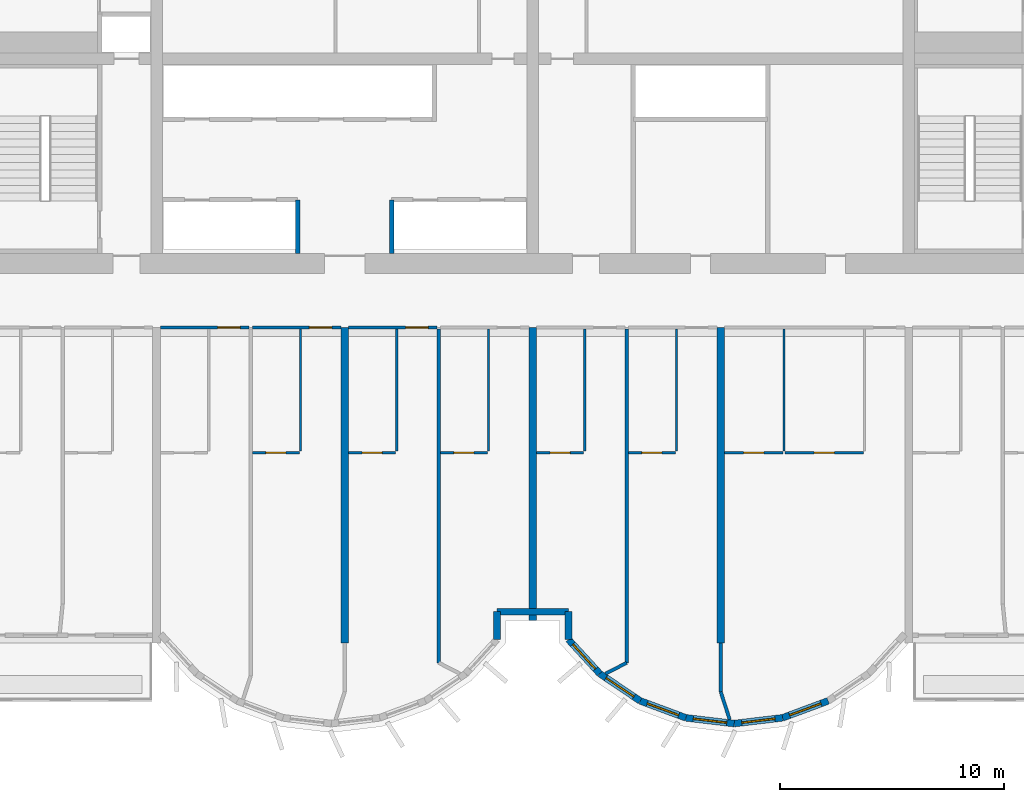
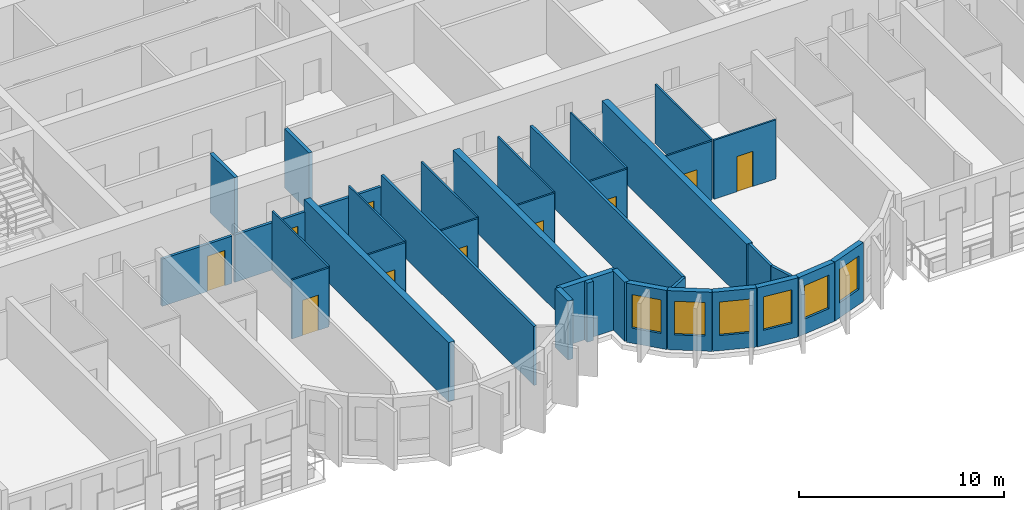
# One storey, part 5 of 14: 35 walls, 10 doors, 6 windows, 16 openings.
"""IFC4 building model written with IfcOpenShell, lengths in metres."""

from ifc_helpers import new_model, si_unit, direction, frame, frame_2d, origin, place, context, subcontext, project, spatial, rectangle, extrude, source, transform, mapped, material, layer, layer_set, type_object, element, fill, save


model = new_model("IFC4")

# Units and contexts
model_context = context("Model", 3, precision=1e-05, world=origin(), true_north=direction((0.0, 1.0)))
body_context = subcontext(model_context, "Body", "Model", "MODEL_VIEW")
ifc_project = project(units=[si_unit("LENGTHUNIT", "METRE"), si_unit("AREAUNIT", "SQUARE_METRE"), si_unit("VOLUMEUNIT", "CUBIC_METRE"), si_unit("PLANEANGLEUNIT", "RADIAN"), si_unit("MASSUNIT", "GRAM", prefix="KILO")], contexts=[model_context])

# Site, building, storey
site_placement = place(None, origin())
site = spatial("IfcSite", under=ifc_project, at=site_placement, CompositionType="ELEMENT")
building_placement = place(site_placement, origin())
building = spatial("IfcBuilding", under=site, at=building_placement, Name="Vanashikhar Sky Hotel", CompositionType="ELEMENT")
storey_placement = place(building_placement, frame((0.0, 0.0, 99.0)))
storey = spatial("IfcBuildingStorey", under=building, at=storey_placement, Name="L23", CompositionType="ELEMENT", Elevation=99.0)

# Walls
ifc_material_1 = material(Name="Concrete M70", Category="concrete")
ifc_layer_1 = layer(ifc_material_1, 0.35009765625)
ifc_layer_set_1 = layer_set([ifc_layer_1], Name="RC shear wall 350 Concrete M70")
wall_type_1 = type_object("IfcWallType", Name="RC shear wall 350 Concrete M70", PredefinedType="SHEAR", material=ifc_layer_set_1)
shared_shape_1 = source(origin(), body_context, "Body", "SweptSolid", [
    extrude(rectangle(XDim=14.10009765625, YDim=0.35009765625, at=frame_2d((7.050048828125, 0.0))), origin(), (0.0, 0.0, 1.0), 3.52001953125),
])
for number, where, z_axis, x_axis, name in (
    (1, (42.0, 5.5, 0.0), (0.0, 0.0, 1.0), (0.0, 1.0, 0.0), "CW-L23-XW06-1"),
    (2, (58.800048828125, 5.5, 0.0), (0.0, 0.0, 1.0), (0.0, 1.0, 0.0), "CW-L23-XW08-1"),
):
    element("IfcWall", number, at=place(storey_placement, frame(where, z_axis=z_axis, x_axis=x_axis)), inside=storey, type_object=wall_type_1, Name=name, PredefinedType="SHEAR", context=body_context, shape_type="MappedRepresentation", body=[
        mapped(shared_shape_1, transform((0.0, 0.0, 0.0), scale=1.0)),
    ])
shared_shape_2 = source(origin(), body_context, "Body", "SweptSolid", [
    extrude(rectangle(XDim=13.10009765625, YDim=0.35009765625, at=frame_2d((6.550048828125, 0.0))), origin(), (0.0, 0.0, 1.0), 3.52001953125),
])
wall_1_placement = place(storey_placement, frame((50.39990234375, 6.5, 0.0), z_axis=(0.0, 0.0, 1.0), x_axis=(0.0, 1.0, 0.0)))
element("IfcWall", 3, at=wall_1_placement, inside=storey, type_object=wall_type_1, Name="CW-L23-XW07-1", PredefinedType="SHEAR", context=body_context, shape_type="MappedRepresentation", body=[
    mapped(shared_shape_2, transform((0.0, 0.0, 0.0), scale=1.0)),
])

# Wall, opening, window
ifc_material_2 = material(Name="Concrete M50", Category="concrete")
ifc_layer_2 = layer(ifc_material_2, 0.300048828125)
ifc_layer_set_2 = layer_set([ifc_layer_2], Name="Lobe wall 300")
wall_type_2 = type_object("IfcWallType", Name="Lobe wall 300", PredefinedType="SOLIDWALL", material=ifc_layer_set_2)
shared_shape_3 = source(origin(), body_context, "Body", "SweptSolid", [
    extrude(rectangle(XDim=2.17578125, YDim=0.300048828125, at=frame_2d((1.087890625, 0.0))), origin(), (0.0, 0.0, 1.0), 3.52001953125),
])
wall_2_placement = place(storey_placement, frame((53.395751953125, 4.13134765625, 0.0), z_axis=(0.0, 0.0, 1.0), x_axis=(0.829590746428, -0.558371913192, 0.0)))
wall_2 = element("IfcWall", 4, at=wall_2_placement, inside=storey, type_object=wall_type_2, Name="Lobe wall", PredefinedType="SOLIDWALL", context=body_context, shape_type="MappedRepresentation", body=[
    mapped(shared_shape_3, transform((0.0, 0.0, 0.0), scale=1.0)),
])
shared_shape_4 = source(origin(), body_context, "Body", "SweptSolid", [
    extrude(rectangle(XDim=1.5, YDim=2.0, at=frame_2d((0.75, 1.0))), frame((0.0, 0.16015625, 0.0), z_axis=(0.0, -1.0, 0.0), x_axis=(1.0, 0.0, 0.0)), (0.0, 0.0, 1.0), 0.320068359375),
])
opening_1_placement = place(wall_2_placement, frame((0.337890625, 0.0, 0.89990234375)))
opening_1 = element("IfcOpeningElement", 5, at=opening_1_placement, cuts=wall_2, Name="Opening WN-2", PredefinedType="OPENING", context=body_context, shape_type="MappedRepresentation", body=[
    mapped(shared_shape_4, transform((0.0, 0.0, 0.0), scale=1.0)),
])
ifc_material_3 = material(Name="Glass", Category="glass")
window_type = type_object("IfcWindowType", Name="Lobe window 1500 x 2000", PartitioningType="SINGLE_PANEL", PredefinedType="WINDOW", material=ifc_material_3)
shared_shape_5 = source(origin(), body_context, "Body", "SweptSolid", [
    extrude(rectangle(XDim=1.5, YDim=2.0, at=frame_2d((0.75, 1.0))), frame((0.0, 0.030029296875, 0.0), z_axis=(0.0, -1.0, 0.0), x_axis=(1.0, 0.0, 0.0)), (0.0, 0.0, 1.0), 0.06005859375),
])
window_1_placement = place(opening_1_placement, origin())
window_1 = element("IfcWindow", 6, at=window_1_placement, inside=storey, type_object=window_type, Name="Window WN-2", OverallHeight=2.0, OverallWidth=1.5, PartitioningType="SINGLE_PANEL", PredefinedType="WINDOW", context=body_context, shape_type="MappedRepresentation", body=[
    mapped(shared_shape_5, transform((0.0, 0.0, 0.0), scale=1.0)),
])
fill(opening_1, window_1)

wall_3_placement = place(storey_placement, frame((55.20068359375, 2.91650390625, 0.0), z_axis=(0.0, 0.0, 1.0), x_axis=(0.93754555999, -0.347862505801, 0.0)))
wall_3 = element("IfcWall", 7, at=wall_3_placement, inside=storey, type_object=wall_type_2, Name="Lobe wall", PredefinedType="SOLIDWALL", context=body_context, shape_type="MappedRepresentation", body=[
    mapped(shared_shape_3, transform((0.0, 0.0, 0.0), scale=1.0)),
])
opening_2_placement = place(wall_3_placement, frame((0.337890625, 0.0, 0.89990234375)))
opening_2 = element("IfcOpeningElement", 8, at=opening_2_placement, cuts=wall_3, Name="Opening WN-2", PredefinedType="OPENING", context=body_context, shape_type="MappedRepresentation", body=[
    mapped(shared_shape_4, transform((0.0, 0.0, 0.0), scale=1.0)),
])
window_2_placement = place(opening_2_placement, origin())
window_2 = element("IfcWindow", 9, at=window_2_placement, inside=storey, type_object=window_type, Name="Window WN-2", OverallHeight=2.0, OverallWidth=1.5, PartitioningType="SINGLE_PANEL", PredefinedType="WINDOW", context=body_context, shape_type="MappedRepresentation", body=[
    mapped(shared_shape_5, transform((0.0, 0.0, 0.0), scale=1.0)),
])
fill(opening_2, window_2)

shared_shape_6 = source(origin(), body_context, "Body", "SweptSolid", [
    extrude(rectangle(XDim=2.174560546875, YDim=0.300048828125, at=frame_2d((1.08740234375, 0.0))), origin(), (0.0, 0.0, 1.0), 3.52001953125),
])
wall_4_placement = place(storey_placement, frame((57.240478515625, 2.15966796875, 0.0), z_axis=(0.0, 0.0, 1.0), x_axis=(0.993001132889, -0.118104826659, 0.0)))
wall_4 = element("IfcWall", 10, at=wall_4_placement, inside=storey, type_object=wall_type_2, Name="Lobe wall", PredefinedType="SOLIDWALL", context=body_context, shape_type="MappedRepresentation", body=[
    mapped(shared_shape_6, transform((0.0, 0.0, 0.0), scale=1.0)),
])
opening_3_placement = place(wall_4_placement, frame((0.33740234375, 0.0, 0.89990234375)))
opening_3 = element("IfcOpeningElement", 11, at=opening_3_placement, cuts=wall_4, Name="Opening WN-2", PredefinedType="OPENING", context=body_context, shape_type="MappedRepresentation", body=[
    mapped(shared_shape_4, transform((0.0, 0.0, 0.0), scale=1.0)),
])
window_3_placement = place(opening_3_placement, origin())
window_3 = element("IfcWindow", 12, at=window_3_placement, inside=storey, type_object=window_type, Name="Window WN-2", OverallHeight=2.0, OverallWidth=1.5, PartitioningType="SINGLE_PANEL", PredefinedType="WINDOW", context=body_context, shape_type="MappedRepresentation", body=[
    mapped(shared_shape_5, transform((0.0, 0.0, 0.0), scale=1.0)),
])
fill(opening_3, window_3)

shared_shape_7 = source(origin(), body_context, "Body", "SweptSolid", [
    extrude(rectangle(XDim=2.1748046875, YDim=0.300048828125, at=frame_2d((1.08740234375, 0.0))), origin(), (0.0, 0.0, 1.0), 3.52001953125),
])
wall_5_placement = place(storey_placement, frame((59.39990234375, 1.90283203125, 0.0), z_axis=(0.0, 0.0, 1.0), x_axis=(0.993002698611, 0.118091661648, 0.0)))
wall_5 = element("IfcWall", 13, at=wall_5_placement, inside=storey, type_object=wall_type_2, Name="Lobe wall", PredefinedType="SOLIDWALL", context=body_context, shape_type="MappedRepresentation", body=[
    mapped(shared_shape_7, transform((0.0, 0.0, 0.0), scale=1.0)),
])
opening_4_placement = place(wall_5_placement, frame((0.33740234375, 0.0, 0.89990234375)))
opening_4 = element("IfcOpeningElement", 14, at=opening_4_placement, cuts=wall_5, Name="Opening WN-2", PredefinedType="OPENING", context=body_context, shape_type="MappedRepresentation", body=[
    mapped(shared_shape_4, transform((0.0, 0.0, 0.0), scale=1.0)),
])
window_4_placement = place(opening_4_placement, origin())
window_4 = element("IfcWindow", 15, at=window_4_placement, inside=storey, type_object=window_type, Name="Window WN-2", OverallHeight=2.0, OverallWidth=1.5, PartitioningType="SINGLE_PANEL", PredefinedType="WINDOW", context=body_context, shape_type="MappedRepresentation", body=[
    mapped(shared_shape_5, transform((0.0, 0.0, 0.0), scale=1.0)),
])
fill(opening_4, window_4)

shared_shape_8 = source(origin(), body_context, "Body", "SweptSolid", [
    extrude(rectangle(XDim=2.175537109375, YDim=0.300048828125, at=frame_2d((1.087890625, 0.0))), origin(), (0.0, 0.0, 1.0), 3.52001953125),
])
wall_6_placement = place(storey_placement, frame((61.5595703125, 2.15966796875, 0.0), z_axis=(0.0, 0.0, 1.0), x_axis=(0.937531979054, 0.347899106424, 0.0)))
wall_6 = element("IfcWall", 16, at=wall_6_placement, inside=storey, type_object=wall_type_2, Name="Lobe wall", PredefinedType="SOLIDWALL", context=body_context, shape_type="MappedRepresentation", body=[
    mapped(shared_shape_8, transform((0.0, 0.0, 0.0), scale=1.0)),
])
opening_5_placement = place(wall_6_placement, frame((0.337890625, 0.0, 0.89990234375)))
opening_5 = element("IfcOpeningElement", 17, at=opening_5_placement, cuts=wall_6, Name="Opening WN-2", PredefinedType="OPENING", context=body_context, shape_type="MappedRepresentation", body=[
    mapped(shared_shape_4, transform((0.0, 0.0, 0.0), scale=1.0)),
])
window_5_placement = place(opening_5_placement, origin())
window_5 = element("IfcWindow", 18, at=window_5_placement, inside=storey, type_object=window_type, Name="Window WN-2", OverallHeight=2.0, OverallWidth=1.5, PartitioningType="SINGLE_PANEL", PredefinedType="WINDOW", context=body_context, shape_type="MappedRepresentation", body=[
    mapped(shared_shape_5, transform((0.0, 0.0, 0.0), scale=1.0)),
])
fill(opening_5, window_5)

shared_shape_9 = source(origin(), body_context, "Body", "SweptSolid", [
    extrude(rectangle(XDim=2.066650390625, YDim=0.300048828125, at=frame_2d((1.033203125, 0.0))), origin(), (0.0, 0.0, 1.0), 3.52001953125),
])
wall_7_placement = place(storey_placement, frame((52.0, 5.655517578125, 0.0), z_axis=(0.0, 0.0, 1.0), x_axis=(0.675355439877, -0.737492393065, 0.0)))
wall_7 = element("IfcWall", 19, at=wall_7_placement, inside=storey, type_object=wall_type_2, Name="Lobe wall", PredefinedType="SOLIDWALL", context=body_context, shape_type="MappedRepresentation", body=[
    mapped(shared_shape_9, transform((0.0, 0.0, 0.0), scale=1.0)),
])
opening_6_placement = place(wall_7_placement, frame((0.283447265625, 0.0, 0.89990234375)))
opening_6 = element("IfcOpeningElement", 20, at=opening_6_placement, cuts=wall_7, Name="Opening WN-2", PredefinedType="OPENING", context=body_context, shape_type="MappedRepresentation", body=[
    mapped(shared_shape_4, transform((0.0, 0.0, 0.0), scale=1.0)),
])
window_6_placement = place(opening_6_placement, origin())
window_6 = element("IfcWindow", 21, at=window_6_placement, inside=storey, type_object=window_type, Name="Window WN-2", OverallHeight=2.0, OverallWidth=1.5, PartitioningType="SINGLE_PANEL", PredefinedType="WINDOW", context=body_context, shape_type="MappedRepresentation", body=[
    mapped(shared_shape_5, transform((0.0, 0.0, 0.0), scale=1.0)),
])
fill(opening_6, window_6)

# Walls
shared_shape_10 = source(origin(), body_context, "Body", "SweptSolid", [
    extrude(rectangle(XDim=1.244384765625, YDim=0.300048828125, at=frame_2d((0.6220703125, 0.0))), origin(), (0.0, 0.0, 1.0), 3.52001953125),
])
for number, where, z_axis, x_axis, name in (
    (22, (48.800048828125, 5.655517578125, 0.0), (0.0, 0.0, 1.0), (0.0, 1.0, 0.0), "Groove wall"),
    (23, (52.0, 6.89990234375, 0.0), (0.0, 0.0, 1.0), (0.0, -1.0, 0.0), "Groove wall"),
):
    element("IfcWall", number, at=place(storey_placement, frame(where, z_axis=z_axis, x_axis=x_axis)), inside=storey, type_object=wall_type_2, Name=name, PredefinedType="SOLIDWALL", context=body_context, shape_type="MappedRepresentation", body=[
        mapped(shared_shape_10, transform((0.0, 0.0, 0.0), scale=1.0)),
    ])
shared_shape_11 = source(origin(), body_context, "Body", "SweptSolid", [
    extrude(rectangle(XDim=3.199951171875, YDim=0.300048828125, at=frame_2d((1.60009765625, 0.0))), origin(), (0.0, 0.0, 1.0), 3.52001953125),
])
wall_8_placement = place(storey_placement, frame((48.800048828125, 6.89990234375, 0.0), z_axis=(0.0, 0.0, 1.0), x_axis=(1.0, 0.0, 0.0)))
element("IfcWall", 24, at=wall_8_placement, inside=storey, type_object=wall_type_2, Name="Groove wall", PredefinedType="SOLIDWALL", context=body_context, shape_type="MappedRepresentation", body=[
    mapped(shared_shape_11, transform((0.0, 0.0, 0.0), scale=1.0)),
])
ifc_material_4 = material(Name="Concrete M40", Category="concrete")
ifc_layer_3 = layer(ifc_material_4, 0.199951171875)
ifc_layer_set_3 = layer_set([ifc_layer_3], Name="Shaft wall 200")
wall_type_3 = type_object("IfcWallType", Name="Shaft wall 200", PredefinedType="SOLIDWALL", material=ifc_layer_set_3)
shared_shape_12 = source(origin(), body_context, "Body", "SweptSolid", [
    extrude(rectangle(XDim=2.400146484375, YDim=0.199951171875, at=frame_2d((1.2001953125, 0.0))), origin(), (0.0, 0.0, 1.0), 3.52001953125),
])
for number, where, z_axis, x_axis, name in (
    (25, (39.89990234375, 22.89990234375, 0.0), (0.0, 0.0, 1.0), (0.0, 1.0, 0.0), "Shaft wall 200"),
    (26, (44.10009765625, 22.89990234375, 0.0), (0.0, 0.0, 1.0), (0.0, 1.0, 0.0), "Shaft wall 200"),
):
    element("IfcWall", number, at=place(storey_placement, frame(where, z_axis=z_axis, x_axis=x_axis)), inside=storey, type_object=wall_type_3, Name=name, PredefinedType="SOLIDWALL", context=body_context, shape_type="MappedRepresentation", body=[
        mapped(shared_shape_12, transform((0.0, 0.0, 0.0), scale=1.0)),
    ])
ifc_material_5 = material(Name="Gypsum plasterboard partition")
ifc_layer_4 = layer(ifc_material_5, 0.14990234375)
ifc_layer_set_4 = layer_set([ifc_layer_4], Name="Corridor and demising partition 150")
wall_type_4 = type_object("IfcWallType", Name="Corridor and demising partition 150", PredefinedType="PARTITIONING", material=ifc_layer_set_4)
shared_shape_13 = source(origin(), body_context, "Body", "SweptSolid", [
    extrude(rectangle(XDim=2.177978515625, YDim=0.14990234375, at=frame_2d((1.0888671875, 0.0))), origin(), (0.0, 0.0, 1.0), 3.52001953125),
])
wall_9_placement = place(storey_placement, frame((58.800048828125, 3.322021484375, 0.0), z_axis=(0.0, 0.0, 1.0), x_axis=(0.0, 1.0, 0.0)))
element("IfcWall", 27, at=wall_9_placement, inside=storey, type_object=wall_type_4, Name="W-L23-PW072", PredefinedType="PARTITIONING", context=body_context, shape_type="MappedRepresentation", body=[
    mapped(shared_shape_13, transform((0.0, 0.0, 0.0), scale=1.0)),
])

# Wall, opening, door
ifc_layer_5 = layer(ifc_material_5, 0.10009765625)
ifc_layer_set_5 = layer_set([ifc_layer_5], Name="Wet room partition 100")
wall_type_5 = type_object("IfcWallType", Name="Wet room partition 100", PredefinedType="PARTITIONING", material=ifc_layer_set_5)
shared_shape_14 = source(origin(), body_context, "Body", "SweptSolid", [
    extrude(rectangle(XDim=3.5, YDim=0.10009765625, at=frame_2d((1.75, 0.0))), origin(), (0.0, 0.0, 1.0), 3.52001953125),
])
wall_10_placement = place(storey_placement, frame((61.675048828125, 14.0, 0.0), z_axis=(0.0, 0.0, 1.0), x_axis=(1.0, 0.0, 0.0)))
wall_10 = element("IfcWall", 28, at=wall_10_placement, inside=storey, type_object=wall_type_5, Name="W-L23-PW044", PredefinedType="PARTITIONING", context=body_context, shape_type="MappedRepresentation", body=[
    mapped(shared_shape_14, transform((0.0, 0.0, 0.0), scale=1.0)),
])
shared_shape_15 = source(origin(), body_context, "Body", "SweptSolid", [
    extrude(rectangle(XDim=0.89990234375, YDim=2.10009765625, at=frame_2d((0.449951171875, 1.050048828125))), frame((0.0, 0.06005859375, 0.0), z_axis=(0.0, -1.0, 0.0), x_axis=(1.0, 0.0, 0.0)), (0.0, 0.0, 1.0), 0.1201171875),
])
opening_7_placement = place(wall_10_placement, frame((1.300048828125, 0.0, 0.0)))
opening_7 = element("IfcOpeningElement", 29, at=opening_7_placement, cuts=wall_10, Name="Opening D-02", PredefinedType="OPENING", context=body_context, shape_type="MappedRepresentation", body=[
    mapped(shared_shape_15, transform((0.0, 0.0, 0.0), scale=1.0)),
])
ifc_material_6 = material(Name="Timber door", Category="wood")
door_type_1 = type_object("IfcDoorType", Name="Internal door 900", OperationType="NOTDEFINED", PredefinedType="DOOR", material=ifc_material_6)
shared_shape_16 = source(origin(), body_context, "Body", "SweptSolid", [
    extrude(rectangle(XDim=0.89990234375, YDim=2.10009765625, at=frame_2d((0.449951171875, 1.050048828125))), frame((0.0, 0.02490234375, 0.0), z_axis=(0.0, -1.0, 0.0), x_axis=(1.0, 0.0, 0.0)), (0.0, 0.0, 1.0), 0.050048828125),
])
door_1_placement = place(opening_7_placement, origin())
door_1 = element("IfcDoor", 30, at=door_1_placement, inside=storey, type_object=door_type_1, Name="D-L23-025", OperationType="SINGLE_SWING_RIGHT", OverallHeight=2.10009765625, OverallWidth=0.89990234375, PredefinedType="DOOR", context=body_context, shape_type="MappedRepresentation", body=[
    mapped(shared_shape_16, transform((0.0, 0.0, 0.0), scale=1.0)),
])
fill(opening_7, door_1)

# Walls
shared_shape_17 = source(origin(), body_context, "Body", "SweptSolid", [
    extrude(rectangle(XDim=1.057861328125, YDim=0.14990234375, at=frame_2d((0.52880859375, 0.0))), origin(), (0.0, 0.0, 1.0), 3.52001953125),
])
wall_11_placement = place(storey_placement, frame((53.659912109375, 4.134033203125, 0.0), z_axis=(0.0, 0.0, 1.0), x_axis=(0.888772319209, 0.458348955063, 0.0)))
element("IfcWall", 31, at=wall_11_placement, inside=storey, type_object=wall_type_4, Name="W-L23-PW041B0", PredefinedType="PARTITIONING", context=body_context, shape_type="MappedRepresentation", body=[
    mapped(shared_shape_17, transform((0.0, 0.0, 0.0), scale=1.0)),
])
shared_shape_18 = source(origin(), body_context, "Body", "SweptSolid", [
    extrude(rectangle(XDim=1.308349609375, YDim=0.14990234375, at=frame_2d((0.654296875, 0.0))), origin(), (0.0, 0.0, 1.0), 3.52001953125),
])
wall_12_placement = place(storey_placement, frame((59.201904296875, 2.076904296875, 0.0), z_axis=(0.0, 0.0, 1.0), x_axis=(-0.307144529633, 0.951662880392, 0.0)))
element("IfcWall", 32, at=wall_12_placement, inside=storey, type_object=wall_type_4, Name="W-L23-PW072B0", PredefinedType="PARTITIONING", context=body_context, shape_type="MappedRepresentation", body=[
    mapped(shared_shape_18, transform((0.0, 0.0, 0.0), scale=1.0)),
])
shared_shape_19 = source(origin(), body_context, "Body", "SweptSolid", [
    extrude(rectangle(XDim=5.449951171875, YDim=0.10009765625, at=frame_2d((2.72509765625, 0.0))), origin(), (0.0, 0.0, 1.0), 3.52001953125),
])
for number, where, z_axis, x_axis, name in (
    (33, (40.02490234375, 14.074951171875, 0.0), (0.0, 0.0, 1.0), (0.0, 1.0, 0.0), "W-L23-PW024"),
    (34, (44.324951171875, 14.074951171875, 0.0), (0.0, 0.0, 1.0), (0.0, 1.0, 0.0), "W-L23-PW028"),
    (35, (48.425048828125, 14.074951171875, 0.0), (0.0, 0.0, 1.0), (0.0, 1.0, 0.0), "W-L23-PW031"),
    (36, (52.72509765625, 14.074951171875, 0.0), (0.0, 0.0, 1.0), (0.0, 1.0, 0.0), "W-L23-PW035"),
    (37, (56.824951171875, 14.074951171875, 0.0), (0.0, 0.0, 1.0), (0.0, 1.0, 0.0), "W-L23-PW038"),
    (38, (61.625, 14.074951171875, 0.0), (0.0, 0.0, 1.0), (0.0, 1.0, 0.0), "W-L23-PW043"),
):
    element("IfcWall", number, at=place(storey_placement, frame(where, z_axis=z_axis, x_axis=x_axis)), inside=storey, type_object=wall_type_5, Name=name, PredefinedType="PARTITIONING", context=body_context, shape_type="MappedRepresentation", body=[
        mapped(shared_shape_19, transform((0.0, 0.0, 0.0), scale=1.0)),
    ])

# Wall, opening, door
shared_shape_20 = source(origin(), body_context, "Body", "SweptSolid", [
    extrude(rectangle(XDim=2.10009765625, YDim=0.10009765625, at=frame_2d((1.050048828125, 0.0))), origin(), (0.0, 0.0, 1.0), 3.52001953125),
])
wall_13_placement = place(storey_placement, frame((37.875, 14.0, 0.0), z_axis=(0.0, 0.0, 1.0), x_axis=(1.0, 0.0, 0.0)))
wall_13 = element("IfcWall", 39, at=wall_13_placement, inside=storey, type_object=wall_type_5, Name="W-L23-PW025", PredefinedType="PARTITIONING", context=body_context, shape_type="MappedRepresentation", body=[
    mapped(shared_shape_20, transform((0.0, 0.0, 0.0), scale=1.0)),
])
opening_8_placement = place(wall_13_placement, frame((0.60009765625, 0.0, 0.0)))
opening_8 = element("IfcOpeningElement", 40, at=opening_8_placement, cuts=wall_13, Name="Opening D-02", PredefinedType="OPENING", context=body_context, shape_type="MappedRepresentation", body=[
    mapped(shared_shape_15, transform((0.0, 0.0, 0.0), scale=1.0)),
])
door_2_placement = place(opening_8_placement, origin())
door_2 = element("IfcDoor", 41, at=door_2_placement, inside=storey, type_object=door_type_1, Name="D-L23-015", OperationType="SINGLE_SWING_RIGHT", OverallHeight=2.10009765625, OverallWidth=0.89990234375, PredefinedType="DOOR", context=body_context, shape_type="MappedRepresentation", body=[
    mapped(shared_shape_16, transform((0.0, 0.0, 0.0), scale=1.0)),
])
fill(opening_8, door_2)

wall_14_placement = place(storey_placement, frame((46.27490234375, 14.0, 0.0), z_axis=(0.0, 0.0, 1.0), x_axis=(1.0, 0.0, 0.0)))
wall_14 = element("IfcWall", 42, at=wall_14_placement, inside=storey, type_object=wall_type_5, Name="W-L23-PW032", PredefinedType="PARTITIONING", context=body_context, shape_type="MappedRepresentation", body=[
    mapped(shared_shape_20, transform((0.0, 0.0, 0.0), scale=1.0)),
])
opening_9_placement = place(wall_14_placement, frame((0.60009765625, 0.0, 0.0)))
opening_9 = element("IfcOpeningElement", 43, at=opening_9_placement, cuts=wall_14, Name="Opening D-02", PredefinedType="OPENING", context=body_context, shape_type="MappedRepresentation", body=[
    mapped(shared_shape_15, transform((0.0, 0.0, 0.0), scale=1.0)),
])
door_3_placement = place(opening_9_placement, origin())
door_3 = element("IfcDoor", 44, at=door_3_placement, inside=storey, type_object=door_type_1, Name="D-L23-019", OperationType="SINGLE_SWING_RIGHT", OverallHeight=2.10009765625, OverallWidth=0.89990234375, PredefinedType="DOOR", context=body_context, shape_type="MappedRepresentation", body=[
    mapped(shared_shape_16, transform((0.0, 0.0, 0.0), scale=1.0)),
])
fill(opening_9, door_3)

wall_15_placement = place(storey_placement, frame((50.574951171875, 14.0, 0.0), z_axis=(0.0, 0.0, 1.0), x_axis=(1.0, 0.0, 0.0)))
wall_15 = element("IfcWall", 45, at=wall_15_placement, inside=storey, type_object=wall_type_5, Name="W-L23-PW036", PredefinedType="PARTITIONING", context=body_context, shape_type="MappedRepresentation", body=[
    mapped(shared_shape_20, transform((0.0, 0.0, 0.0), scale=1.0)),
])
opening_10_placement = place(wall_15_placement, frame((0.60009765625, 0.0, 0.0)))
opening_10 = element("IfcOpeningElement", 46, at=opening_10_placement, cuts=wall_15, Name="Opening D-02", PredefinedType="OPENING", context=body_context, shape_type="MappedRepresentation", body=[
    mapped(shared_shape_15, transform((0.0, 0.0, 0.0), scale=1.0)),
])
door_4_placement = place(opening_10_placement, origin())
door_4 = element("IfcDoor", 47, at=door_4_placement, inside=storey, type_object=door_type_1, Name="D-L23-021", OperationType="SINGLE_SWING_RIGHT", OverallHeight=2.10009765625, OverallWidth=0.89990234375, PredefinedType="DOOR", context=body_context, shape_type="MappedRepresentation", body=[
    mapped(shared_shape_16, transform((0.0, 0.0, 0.0), scale=1.0)),
])
fill(opening_10, door_4)

shared_shape_21 = source(origin(), body_context, "Body", "SweptSolid", [
    extrude(rectangle(XDim=3.9501953125, YDim=0.14990234375, at=frame_2d((1.97509765625, 0.0))), origin(), (0.0, 0.0, 1.0), 2.820068359375),
])
wall_16_placement = place(storey_placement, frame((33.77490234375, 19.60009765625, 0.0), z_axis=(0.0, 0.0, 1.0), x_axis=(1.0, 0.0, 0.0)))
wall_16 = element("IfcWall", 48, at=wall_16_placement, inside=storey, type_object=wall_type_4, Name="W-L23-PW023", PredefinedType="PARTITIONING", context=body_context, shape_type="MappedRepresentation", body=[
    mapped(shared_shape_21, transform((0.0, 0.0, 0.0), scale=1.0)),
])
shared_shape_22 = source(origin(), body_context, "Body", "SweptSolid", [
    extrude(rectangle(XDim=1.0, YDim=2.10009765625, at=frame_2d((0.5, 1.050048828125))), frame((0.0, 0.0849609375, 0.0), z_axis=(0.0, -1.0, 0.0), x_axis=(1.0, 0.0, 0.0)), (0.0, 0.0, 1.0), 0.169921875),
])
opening_11_placement = place(wall_16_placement, frame((2.550048828125, 0.0, 0.0)))
opening_11 = element("IfcOpeningElement", 49, at=opening_11_placement, cuts=wall_16, Name="Opening D-01", PredefinedType="OPENING", context=body_context, shape_type="MappedRepresentation", body=[
    mapped(shared_shape_22, transform((0.0, 0.0, 0.0), scale=1.0)),
])
ifc_material_7 = material(Name="Timber fire door", Category="wood")
door_type_2 = type_object("IfcDoorType", Name="Guest entry door 1000 FD30S", OperationType="NOTDEFINED", PredefinedType="DOOR", material=ifc_material_7)
shared_shape_23 = source(origin(), body_context, "Body", "SweptSolid", [
    extrude(rectangle(XDim=1.0, YDim=2.10009765625, at=frame_2d((0.5, 1.050048828125))), frame((0.0, 0.02490234375, 0.0), z_axis=(0.0, -1.0, 0.0), x_axis=(1.0, 0.0, 0.0)), (0.0, 0.0, 1.0), 0.050048828125),
])
door_5_placement = place(opening_11_placement, origin())
door_5 = element("IfcDoor", 50, at=door_5_placement, inside=storey, type_object=door_type_2, Name="D-L23-014", OperationType="SINGLE_SWING_RIGHT", OverallHeight=2.10009765625, OverallWidth=1.0, PredefinedType="DOOR", context=body_context, shape_type="MappedRepresentation", body=[
    mapped(shared_shape_23, transform((0.0, 0.0, 0.0), scale=1.0)),
])
fill(opening_11, door_5)

shared_shape_24 = source(origin(), body_context, "Body", "SweptSolid", [
    extrude(rectangle(XDim=3.949951171875, YDim=0.14990234375, at=frame_2d((1.97509765625, 0.0))), origin(), (0.0, 0.0, 1.0), 2.820068359375),
])
wall_17_placement = place(storey_placement, frame((37.875, 19.60009765625, 0.0), z_axis=(0.0, 0.0, 1.0), x_axis=(1.0, 0.0, 0.0)))
wall_17 = element("IfcWall", 51, at=wall_17_placement, inside=storey, type_object=wall_type_4, Name="W-L23-PW026", PredefinedType="PARTITIONING", context=body_context, shape_type="MappedRepresentation", body=[
    mapped(shared_shape_24, transform((0.0, 0.0, 0.0), scale=1.0)),
])
opening_12_placement = place(wall_17_placement, frame((2.550048828125, 0.0, 0.0)))
opening_12 = element("IfcOpeningElement", 52, at=opening_12_placement, cuts=wall_17, Name="Opening D-01", PredefinedType="OPENING", context=body_context, shape_type="MappedRepresentation", body=[
    mapped(shared_shape_22, transform((0.0, 0.0, 0.0), scale=1.0)),
])
door_6_placement = place(opening_12_placement, origin())
door_6 = element("IfcDoor", 53, at=door_6_placement, inside=storey, type_object=door_type_2, Name="D-L23-016", OperationType="SINGLE_SWING_RIGHT", OverallHeight=2.10009765625, OverallWidth=1.0, PredefinedType="DOOR", context=body_context, shape_type="MappedRepresentation", body=[
    mapped(shared_shape_23, transform((0.0, 0.0, 0.0), scale=1.0)),
])
fill(opening_12, door_6)

wall_18_placement = place(storey_placement, frame((42.175048828125, 19.60009765625, 0.0), z_axis=(0.0, 0.0, 1.0), x_axis=(1.0, 0.0, 0.0)))
wall_18 = element("IfcWall", 54, at=wall_18_placement, inside=storey, type_object=wall_type_4, Name="W-L23-PW030", PredefinedType="PARTITIONING", context=body_context, shape_type="MappedRepresentation", body=[
    mapped(shared_shape_24, transform((0.0, 0.0, 0.0), scale=1.0)),
])
opening_13_placement = place(wall_18_placement, frame((2.550048828125, 0.0, 0.0)))
opening_13 = element("IfcOpeningElement", 55, at=opening_13_placement, cuts=wall_18, Name="Opening D-01", PredefinedType="OPENING", context=body_context, shape_type="MappedRepresentation", body=[
    mapped(shared_shape_22, transform((0.0, 0.0, 0.0), scale=1.0)),
])
door_7_placement = place(opening_13_placement, origin())
door_7 = element("IfcDoor", 56, at=door_7_placement, inside=storey, type_object=door_type_2, Name="D-L23-018", OperationType="SINGLE_SWING_RIGHT", OverallHeight=2.10009765625, OverallWidth=1.0, PredefinedType="DOOR", context=body_context, shape_type="MappedRepresentation", body=[
    mapped(shared_shape_23, transform((0.0, 0.0, 0.0), scale=1.0)),
])
fill(opening_13, door_7)

shared_shape_25 = source(origin(), body_context, "Body", "SweptSolid", [
    extrude(rectangle(XDim=2.099853515625, YDim=0.10009765625, at=frame_2d((1.0498046875, 0.0))), origin(), (0.0, 0.0, 1.0), 3.52001953125),
])
wall_19_placement = place(storey_placement, frame((42.175048828125, 14.0, 0.0), z_axis=(0.0, 0.0, 1.0), x_axis=(1.0, 0.0, 0.0)))
wall_19 = element("IfcWall", 57, at=wall_19_placement, inside=storey, type_object=wall_type_5, Name="W-L23-PW029", PredefinedType="PARTITIONING", context=body_context, shape_type="MappedRepresentation", body=[
    mapped(shared_shape_25, transform((0.0, 0.0, 0.0), scale=1.0)),
])
opening_14_placement = place(wall_19_placement, frame((0.60009765625, 0.0, 0.0)))
opening_14 = element("IfcOpeningElement", 58, at=opening_14_placement, cuts=wall_19, Name="Opening D-02", PredefinedType="OPENING", context=body_context, shape_type="MappedRepresentation", body=[
    mapped(shared_shape_15, transform((0.0, 0.0, 0.0), scale=1.0)),
])
door_8_placement = place(opening_14_placement, origin())
door_8 = element("IfcDoor", 59, at=door_8_placement, inside=storey, type_object=door_type_1, Name="D-L23-017", OperationType="SINGLE_SWING_RIGHT", OverallHeight=2.10009765625, OverallWidth=0.89990234375, PredefinedType="DOOR", context=body_context, shape_type="MappedRepresentation", body=[
    mapped(shared_shape_16, transform((0.0, 0.0, 0.0), scale=1.0)),
])
fill(opening_14, door_8)

wall_20_placement = place(storey_placement, frame((54.675048828125, 14.0, 0.0), z_axis=(0.0, 0.0, 1.0), x_axis=(1.0, 0.0, 0.0)))
wall_20 = element("IfcWall", 60, at=wall_20_placement, inside=storey, type_object=wall_type_5, Name="W-L23-PW039", PredefinedType="PARTITIONING", context=body_context, shape_type="MappedRepresentation", body=[
    mapped(shared_shape_25, transform((0.0, 0.0, 0.0), scale=1.0)),
])
opening_15_placement = place(wall_20_placement, frame((0.60009765625, 0.0, 0.0)))
opening_15 = element("IfcOpeningElement", 61, at=opening_15_placement, cuts=wall_20, Name="Opening D-02", PredefinedType="OPENING", context=body_context, shape_type="MappedRepresentation", body=[
    mapped(shared_shape_15, transform((0.0, 0.0, 0.0), scale=1.0)),
])
door_9_placement = place(opening_15_placement, origin())
door_9 = element("IfcDoor", 62, at=door_9_placement, inside=storey, type_object=door_type_1, Name="D-L23-023", OperationType="SINGLE_SWING_RIGHT", OverallHeight=2.10009765625, OverallWidth=0.89990234375, PredefinedType="DOOR", context=body_context, shape_type="MappedRepresentation", body=[
    mapped(shared_shape_16, transform((0.0, 0.0, 0.0), scale=1.0)),
])
fill(opening_15, door_9)

# Walls
shared_shape_26 = source(origin(), body_context, "Body", "SweptSolid", [
    extrude(rectangle(XDim=14.906005859375, YDim=0.14990234375, at=frame_2d((7.453125, 0.0))), origin(), (0.0, 0.0, 1.0), 3.52001953125),
])
for number, where, z_axis, x_axis, name in (
    (63, (46.199951171875, 4.618896484375, 0.0), (0.0, 0.0, 1.0), (0.0, 1.0, 0.0), "W-L23-PW034"),
    (64, (54.60009765625, 4.618896484375, 0.0), (0.0, 0.0, 1.0), (0.0, 1.0, 0.0), "W-L23-PW041"),
):
    element("IfcWall", number, at=place(storey_placement, frame(where, z_axis=z_axis, x_axis=x_axis)), inside=storey, type_object=wall_type_4, Name=name, PredefinedType="PARTITIONING", context=body_context, shape_type="MappedRepresentation", body=[
        mapped(shared_shape_26, transform((0.0, 0.0, 0.0), scale=1.0)),
    ])

# Wall, opening, door
shared_shape_27 = source(origin(), body_context, "Body", "SweptSolid", [
    extrude(rectangle(XDim=2.599853515625, YDim=0.10009765625, at=frame_2d((1.2998046875, 0.0))), origin(), (0.0, 0.0, 1.0), 3.52001953125),
])
wall_21_placement = place(storey_placement, frame((58.97509765625, 14.0, 0.0), z_axis=(0.0, 0.0, 1.0), x_axis=(1.0, 0.0, 0.0)))
wall_21 = element("IfcWall", 65, at=wall_21_placement, inside=storey, type_object=wall_type_5, Name="W-L23-PW045", PredefinedType="PARTITIONING", context=body_context, shape_type="MappedRepresentation", body=[
    mapped(shared_shape_27, transform((0.0, 0.0, 0.0), scale=1.0)),
])
opening_16_placement = place(wall_21_placement, frame((0.85009765625, 0.0, 0.0)))
opening_16 = element("IfcOpeningElement", 66, at=opening_16_placement, cuts=wall_21, Name="Opening D-02", PredefinedType="OPENING", context=body_context, shape_type="MappedRepresentation", body=[
    mapped(shared_shape_15, transform((0.0, 0.0, 0.0), scale=1.0)),
])
door_10_placement = place(opening_16_placement, origin())
door_10 = element("IfcDoor", 67, at=door_10_placement, inside=storey, type_object=door_type_1, Name="D-L23-026", OperationType="SINGLE_SWING_RIGHT", OverallHeight=2.10009765625, OverallWidth=0.89990234375, PredefinedType="DOOR", context=body_context, shape_type="MappedRepresentation", body=[
    mapped(shared_shape_16, transform((0.0, 0.0, 0.0), scale=1.0)),
])
fill(opening_16, door_10)

save(model, "model.ifc")
